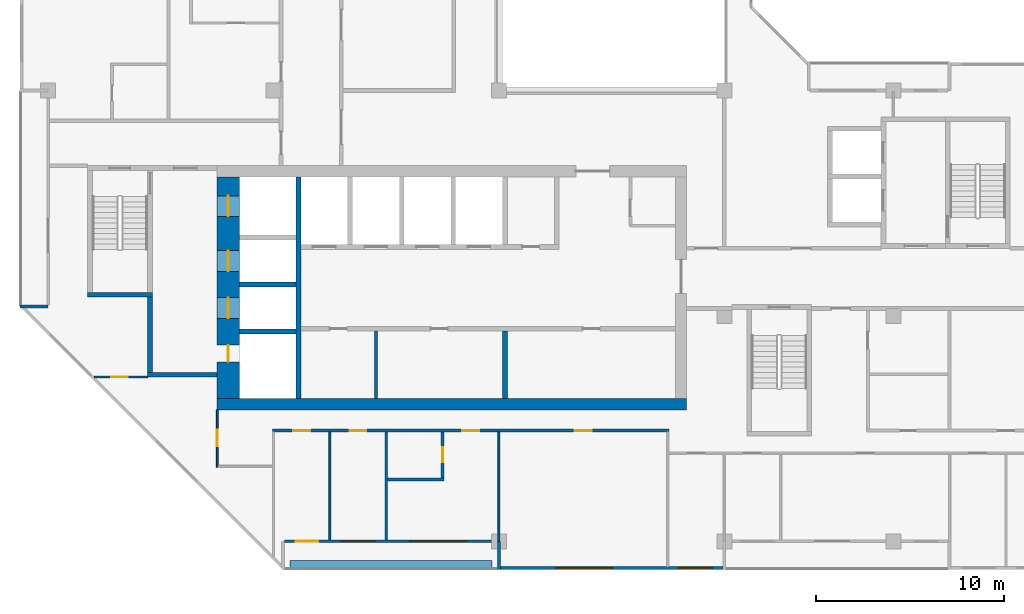
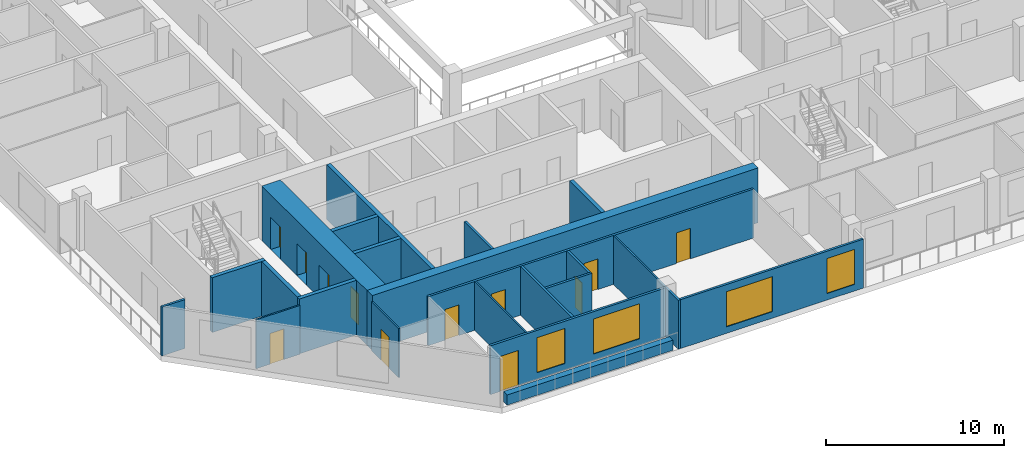
# One storey, part 4 of 13: 23 walls, 12 doors, 4 windows, 16 openings.
"""IFC4 building model written with IfcOpenShell, lengths in metres."""

from ifc_helpers import new_model, si_unit, direction, frame, frame_2d, origin, place, context, subcontext, project, spatial, rectangle, extrude, material, layer, layer_set, type_object, element, fill, save


model = new_model("IFC4")

# Units and contexts
model_context = context("Model", 3, precision=1e-05, world=origin(), true_north=direction((0.0, 1.0)))
body_context = subcontext(model_context, "Body", "Model", "MODEL_VIEW")
ifc_project = project(units=[si_unit("LENGTHUNIT", "METRE"), si_unit("AREAUNIT", "SQUARE_METRE"), si_unit("VOLUMEUNIT", "CUBIC_METRE"), si_unit("PLANEANGLEUNIT", "RADIAN"), si_unit("MASSUNIT", "GRAM", prefix="KILO")], contexts=[model_context])

# Site, building, storey
site_placement = place(None, origin())
site = spatial("IfcSite", under=ifc_project, at=site_placement, CompositionType="ELEMENT")
building_placement = place(site_placement, origin())
building = spatial("IfcBuilding", under=site, at=building_placement, Name="Chenar Terraces", CompositionType="ELEMENT")
storey_placement = place(building_placement, frame((0.0, 0.0, 314.64990234375)))
storey = spatial("IfcBuildingStorey", under=building, at=storey_placement, Name="L74", CompositionType="ELEMENT", Elevation=314.64990234375)

# Wall
ifc_material_1 = material(Name="Gypsum board on steel studs", Category="steel")
ifc_layer_1 = layer(ifc_material_1, 0.14990234375)
ifc_layer_set_1 = layer_set([ifc_layer_1], Name="Gypsum board on steel studs")
wall_type_1 = type_object("IfcWallType", Name="Core partition 150 gypsum board", PredefinedType="PARTITIONING", material=ifc_layer_set_1)
wall_1_placement = place(storey_placement, frame((17.449951171875, 7.60009765625, 0.0), z_axis=(0.0, 0.0, 1.0), x_axis=(0.0, 1.0, 0.0)))
element("IfcWall", 1, at=wall_1_placement, inside=storey, type_object=wall_type_1, Name="Core partition CP1 freed bay wall", PredefinedType="PARTITIONING", context=body_context, shape_type="SweptSolid", body=[
    extrude(rectangle(XDim=3.599853515625, YDim=0.14990234375, at=frame_2d((1.7998046875, 0.0))), origin(), (0.0, 0.0, 1.0), 3.35009765625),
])

# Wall, openings, doors
ifc_material_2 = material(Name="Concrete C50/60", Category="concrete")
ifc_layer_2 = layer(ifc_material_2, 1.199951171875)
ifc_layer_set_2 = layer_set([ifc_layer_2], Name="Concrete C50/60")
wall_type_2 = type_object("IfcWallType", Name="Core wall 1200 Concrete C50/60", PredefinedType="SHEAR", material=ifc_layer_set_2)
wall_2_placement = place(storey_placement, frame((9.60009765625, 7.60009765625, 0.0), z_axis=(0.0, 0.0, 1.0), x_axis=(0.0, 1.0, 0.0)))
wall_2 = element("IfcWall", 2, at=wall_2_placement, inside=storey, type_object=wall_type_2, Name="Core wall W L74", PredefinedType="SHEAR", context=body_context, shape_type="SweptSolid", body=[
    extrude(rectangle(XDim=11.7998046875, YDim=1.199951171875, at=frame_2d((5.89990234375, 0.0))), origin(), (0.0, 0.0, 1.0), 3.75),
])
opening_1_placement = place(wall_2_placement, frame((4.27490234375, 0.0, 0.0)))
opening_1 = element("IfcOpeningElement", 3, at=opening_1_placement, cuts=wall_2, Name="Opening DL74-LD5", PredefinedType="OPENING", context=body_context, shape_type="SweptSolid", body=[
    extrude(rectangle(XDim=1.10009765625, YDim=2.199951171875, at=frame_2d((0.550048828125, 1.10009765625))), frame((0.0, 0.60986328125, 0.0), z_axis=(0.0, -1.0, 0.0), x_axis=(1.0, 0.0, 0.0)), (0.0, 0.0, 1.0), 1.219970703125),
])
opening_2_placement = place(wall_2_placement, frame((6.77490234375, 0.0, 0.0)))
opening_2 = element("IfcOpeningElement", 4, at=opening_2_placement, cuts=wall_2, Name="Opening DL74-LD6", PredefinedType="OPENING", context=body_context, shape_type="SweptSolid", body=[
    extrude(rectangle(XDim=1.10009765625, YDim=2.199951171875, at=frame_2d((0.550048828125, 1.10009765625))), frame((0.0, 0.60986328125, 0.0), z_axis=(0.0, -1.0, 0.0), x_axis=(1.0, 0.0, 0.0)), (0.0, 0.0, 1.0), 1.219970703125),
])
opening_3_placement = place(wall_2_placement, frame((9.699951171875, 0.0, 0.0)))
opening_3 = element("IfcOpeningElement", 5, at=opening_3_placement, cuts=wall_2, Name="Opening DL74-LD7", PredefinedType="OPENING", context=body_context, shape_type="SweptSolid", body=[
    extrude(rectangle(XDim=1.10009765625, YDim=2.199951171875, at=frame_2d((0.550048828125, 1.10009765625))), frame((0.0, 0.60986328125, 0.0), z_axis=(0.0, -1.0, 0.0), x_axis=(1.0, 0.0, 0.0)), (0.0, 0.0, 1.0), 1.219970703125),
])
opening_4_placement = place(wall_2_placement, frame((1.949951171875, 0.0, 0.0)))
opening_4 = element("IfcOpeningElement", 6, at=opening_4_placement, cuts=wall_2, Name="Opening DL74-C4", PredefinedType="OPENING", context=body_context, shape_type="SweptSolid", body=[
    extrude(rectangle(XDim=0.89990234375, YDim=2.10009765625, at=frame_2d((0.449951171875, 1.050048828125))), frame((0.0, 0.60986328125, 0.0), z_axis=(0.0, -1.0, 0.0), x_axis=(1.0, 0.0, 0.0)), (0.0, 0.0, 1.0), 1.219970703125),
])
ifc_material_3 = material(Name="Stainless steel", Category="steel")
door_type_1 = type_object("IfcDoorType", Name="Lift landing door 1100 x 2200 sliding", OperationType="DOUBLE_DOOR_SLIDING", PredefinedType="DOOR", material=ifc_material_3)
door_1_placement = place(opening_1_placement, origin())
door_1 = element("IfcDoor", 7, at=door_1_placement, inside=storey, type_object=door_type_1, Name="Landing door S1", OperationType="DOUBLE_DOOR_SLIDING", OverallHeight=2.199951171875, OverallWidth=1.10009765625, PredefinedType="DOOR", context=body_context, shape_type="SweptSolid", body=[
    extrude(rectangle(XDim=1.10009765625, YDim=2.199951171875, at=frame_2d((0.550048828125, 1.10009765625))), frame((0.0, 0.02490234375, 0.0), z_axis=(0.0, -1.0, 0.0), x_axis=(1.0, 0.0, 0.0)), (0.0, 0.0, 1.0), 0.050048828125),
])
fill(opening_1, door_1)
door_2_placement = place(opening_2_placement, origin())
door_2 = element("IfcDoor", 8, at=door_2_placement, inside=storey, type_object=door_type_1, Name="Landing door F1", OperationType="DOUBLE_DOOR_SLIDING", OverallHeight=2.199951171875, OverallWidth=1.10009765625, PredefinedType="DOOR", context=body_context, shape_type="SweptSolid", body=[
    extrude(rectangle(XDim=1.10009765625, YDim=2.199951171875, at=frame_2d((0.550048828125, 1.10009765625))), frame((0.0, 0.02490234375, 0.0), z_axis=(0.0, -1.0, 0.0), x_axis=(1.0, 0.0, 0.0)), (0.0, 0.0, 1.0), 0.050048828125),
])
fill(opening_2, door_2)
door_3_placement = place(opening_3_placement, origin())
door_3 = element("IfcDoor", 9, at=door_3_placement, inside=storey, type_object=door_type_1, Name="Landing door F2", OperationType="DOUBLE_DOOR_SLIDING", OverallHeight=2.199951171875, OverallWidth=1.10009765625, PredefinedType="DOOR", context=body_context, shape_type="SweptSolid", body=[
    extrude(rectangle(XDim=1.10009765625, YDim=2.199951171875, at=frame_2d((0.550048828125, 1.10009765625))), frame((0.0, 0.02490234375, 0.0), z_axis=(0.0, -1.0, 0.0), x_axis=(1.0, 0.0, 0.0)), (0.0, 0.0, 1.0), 0.050048828125),
])
fill(opening_3, door_3)
ifc_material_4 = material(Name="Steel-framed fire-resisting door leaf", Category="steel")
door_type_2 = type_object("IfcDoorType", Name="Riser fire door FD60 900 x 2100", OperationType="SINGLE_SWING_LEFT", PredefinedType="DOOR", material=ifc_material_4)
door_4_placement = place(opening_4_placement, frame((0.89990234375, 0.0, 0.0), z_axis=(0.0, 0.0, 1.0), x_axis=(-1.0, 0.0, 0.0)))
door_4 = element("IfcDoor", 10, at=door_4_placement, inside=storey, type_object=door_type_2, Name="Riser door DL74-C4", OperationType="SINGLE_SWING_LEFT", OverallHeight=2.10009765625, OverallWidth=0.89990234375, PredefinedType="DOOR", context=body_context, shape_type="SweptSolid", body=[
    extrude(rectangle(XDim=0.89990234375, YDim=2.10009765625, at=frame_2d((0.449951171875, 1.050048828125))), frame((0.0, 0.02490234375, 0.0), z_axis=(0.0, -1.0, 0.0), x_axis=(1.0, 0.0, 0.0)), (0.0, 0.0, 1.0), 0.050048828125),
])
fill(opening_4, door_4)

# Walls
ifc_material_5 = material(Name="Concrete C50/60", Category="concrete")
ifc_layer_3 = layer(ifc_material_5, 0.25)
ifc_layer_set_3 = layer_set([ifc_layer_3], Name="Concrete C50/60")
wall_type_3 = type_object("IfcWallType", Name="Core wall 250 Concrete C50/60", PredefinedType="SHEAR", material=ifc_layer_set_3)
wall_3_placement = place(storey_placement, frame((13.324951171875, 7.60009765625, 0.0), z_axis=(0.0, 0.0, 1.0), x_axis=(0.0, 1.0, 0.0)))
element("IfcWall", 11, at=wall_3_placement, inside=storey, type_object=wall_type_3, Name="Core wall WI L74", PredefinedType="SHEAR", context=body_context, shape_type="SweptSolid", body=[
    extrude(rectangle(XDim=11.7998046875, YDim=0.25, at=frame_2d((5.89990234375, 0.0))), origin(), (0.0, 0.0, 1.0), 3.75),
])
for number, where, z_axis, x_axis, name in (
    (12, (10.199951171875, 11.175048828125, 0.0), (0.0, 0.0, 1.0), (1.0, 0.0, 0.0), "Core wall HW0 L74"),
    (13, (10.199951171875, 13.675048828125, 0.0), (0.0, 0.0, 1.0), (1.0, 0.0, 0.0), "Core wall HW1 L74"),
):
    element("IfcWall", number, at=place(storey_placement, frame(where, z_axis=z_axis, x_axis=x_axis)), inside=storey, type_object=wall_type_3, Name=name, PredefinedType="SHEAR", context=body_context, shape_type="SweptSolid", body=[
        extrude(rectangle(XDim=3.0, YDim=0.25, at=frame_2d((1.5, 0.0))), origin(), (0.0, 0.0, 1.0), 3.75),
    ])
wall_4_placement = place(storey_placement, frame((24.324951171875, 7.60009765625, 0.0), z_axis=(0.0, 0.0, 1.0), x_axis=(0.0, 1.0, 0.0)))
element("IfcWall", 14, at=wall_4_placement, inside=storey, type_object=wall_type_3, Name="Core wall SS3 L74", PredefinedType="SHEAR", context=body_context, shape_type="SweptSolid", body=[
    extrude(rectangle(XDim=3.599853515625, YDim=0.25, at=frame_2d((1.7998046875, 0.0))), origin(), (0.0, 0.0, 1.0), 3.75),
])
wall_5_placement = place(storey_placement, frame((2.10009765625, 13.125, 0.0), z_axis=(0.0, 0.0, 1.0), x_axis=(1.0, 0.0, 0.0)))
element("IfcWall", 15, at=wall_5_placement, inside=storey, type_object=wall_type_3, Name="Core wall ST1_S L74", PredefinedType="SHEAR", context=body_context, shape_type="SweptSolid", body=[
    extrude(rectangle(XDim=3.449951171875, YDim=0.25, at=frame_2d((1.72509765625, 0.0))), origin(), (0.0, 0.0, 1.0), 3.75),
])
wall_6_placement = place(storey_placement, frame((5.300048828125, 8.875, 0.0), z_axis=(0.0, 0.0, 1.0), x_axis=(1.0, 0.0, 0.0)))
element("IfcWall", 16, at=wall_6_placement, inside=storey, type_object=wall_type_3, Name="Core wall FFL_S L74", PredefinedType="SHEAR", context=body_context, shape_type="SweptSolid", body=[
    extrude(rectangle(XDim=3.699951171875, YDim=0.25, at=frame_2d((1.85009765625, 0.0))), origin(), (0.0, 0.0, 1.0), 3.75),
])
wall_7_placement = place(storey_placement, frame((5.425048828125, 9.0, 0.0), z_axis=(0.0, 0.0, 1.0), x_axis=(0.0, 1.0, 0.0)))
element("IfcWall", 17, at=wall_7_placement, inside=storey, type_object=wall_type_3, Name="Core wall FFL_W L74", PredefinedType="SHEAR", context=body_context, shape_type="SweptSolid", body=[
    extrude(rectangle(XDim=4.0, YDim=0.25, at=frame_2d((2.0, 0.0))), origin(), (0.0, 0.0, 1.0), 3.75),
])
ifc_material_6 = material(Name="Concrete C50/60", Category="concrete")
ifc_layer_4 = layer(ifc_material_6, 0.60009765625)
ifc_layer_set_4 = layer_set([ifc_layer_4], Name="Concrete C50/60")
wall_type_4 = type_object("IfcWallType", Name="Core wall 600 Concrete C50/60", PredefinedType="SHEAR", material=ifc_layer_set_4)
wall_8_placement = place(storey_placement, frame((9.0, 7.300048828125, 0.0), z_axis=(0.0, 0.0, 1.0), x_axis=(1.0, 0.0, 0.0)))
element("IfcWall", 18, at=wall_8_placement, inside=storey, type_object=wall_type_4, Name="Core wall S L74", PredefinedType="SHEAR", context=body_context, shape_type="SweptSolid", body=[
    extrude(rectangle(XDim=25.0, YDim=0.60009765625, at=frame_2d((12.5, 0.0))), origin(), (0.0, 0.0, 1.0), 3.75),
])

# Wall, openings, windows
ifc_material_7 = material(Name="Aluminium framed glazing", Category="aluminium")
ifc_layer_5 = layer(ifc_material_7, 0.14990234375)
ifc_layer_set_5 = layer_set([ifc_layer_5], Name="Aluminium framed glazing")
wall_type_5 = type_object("IfcWallType", Name="Glazed flush facade wall 150", PredefinedType="SOLIDWALL", material=ifc_layer_set_5)
wall_9_placement = place(storey_placement, frame((24.074951171875, -1.425048828125, 0.0), z_axis=(0.0, 0.0, 1.0), x_axis=(1.0, 0.0, 0.0)))
wall_9 = element("IfcWall", 19, at=wall_9_placement, inside=storey, type_object=wall_type_5, Name="Glazed flush facade wall", PredefinedType="SOLIDWALL", context=body_context, shape_type="SweptSolid", body=[
    extrude(rectangle(XDim=11.85009765625, YDim=0.14990234375, at=frame_2d((5.925048828125, 0.0))), origin(), (0.0, 0.0, 1.0), 3.35009765625),
])
opening_5_placement = place(wall_9_placement, frame((2.96240234375, 0.0, 0.449951171875)))
opening_5 = element("IfcOpeningElement", 20, at=opening_5_placement, cuts=wall_9, Name="Opening W300x240", PredefinedType="OPENING", context=body_context, shape_type="SweptSolid", body=[
    extrude(rectangle(XDim=3.0, YDim=2.39990234375, at=frame_2d((1.5, 1.199951171875))), frame((0.0, 0.0849609375, 0.0), z_axis=(0.0, -1.0, 0.0), x_axis=(1.0, 0.0, 0.0)), (0.0, 0.0, 1.0), 0.169921875),
])
opening_6_placement = place(wall_9_placement, frame((9.487548828125, 0.0, 0.449951171875)))
opening_6 = element("IfcOpeningElement", 21, at=opening_6_placement, cuts=wall_9, Name="Opening W180x240", PredefinedType="OPENING", context=body_context, shape_type="SweptSolid", body=[
    extrude(rectangle(XDim=1.800048828125, YDim=2.39990234375, at=frame_2d((0.89990234375, 1.199951171875))), frame((0.0, 0.0849609375, 0.0), z_axis=(0.0, -1.0, 0.0), x_axis=(1.0, 0.0, 0.0)), (0.0, 0.0, 1.0), 0.169921875),
])
ifc_material_8 = material(Name="Low emissivity double glazing, aluminium frame", Category="aluminium")
window_type_1 = type_object("IfcWindowType", Name="Fixed light 1800 x 2400", PartitioningType="SINGLE_PANEL", PredefinedType="WINDOW", material=ifc_material_8)
window_1_placement = place(opening_6_placement, origin())
window_1 = element("IfcWindow", 22, at=window_1_placement, inside=storey, type_object=window_type_1, Name="Window", OverallHeight=2.39990234375, OverallWidth=1.800048828125, PartitioningType="SINGLE_PANEL", PredefinedType="WINDOW", context=body_context, shape_type="SweptSolid", body=[
    extrude(rectangle(XDim=1.800048828125, YDim=2.39990234375, at=frame_2d((0.89990234375, 1.199951171875))), frame((0.0, 0.030029296875, 0.0), z_axis=(0.0, -1.0, 0.0), x_axis=(1.0, 0.0, 0.0)), (0.0, 0.0, 1.0), 0.06005859375),
])
fill(opening_6, window_1)
ifc_material_9 = material(Name="Low emissivity double glazing, aluminium frame", Category="aluminium")
window_type_2 = type_object("IfcWindowType", Name="Fixed light 3000 x 2400", PartitioningType="SINGLE_PANEL", PredefinedType="WINDOW", material=ifc_material_9)
window_2_placement = place(opening_5_placement, origin())
window_2 = element("IfcWindow", 23, at=window_2_placement, inside=storey, type_object=window_type_2, Name="Window", OverallHeight=2.39990234375, OverallWidth=3.0, PartitioningType="SINGLE_PANEL", PredefinedType="WINDOW", context=body_context, shape_type="SweptSolid", body=[
    extrude(rectangle(XDim=3.0, YDim=2.39990234375, at=frame_2d((1.5, 1.199951171875))), frame((0.0, 0.030029296875, 0.0), z_axis=(0.0, -1.0, 0.0), x_axis=(1.0, 0.0, 0.0)), (0.0, 0.0, 1.0), 0.06005859375),
])
fill(opening_5, window_2)

# Wall, openings, windows, door
ifc_material_10 = material(Name="Aluminium framed glazing", Category="aluminium")
ifc_layer_6 = layer(ifc_material_10, 0.14990234375)
ifc_layer_set_6 = layer_set([ifc_layer_6], Name="Aluminium framed glazing")
wall_type_6 = type_object("IfcWallType", Name="Glazed loggia back wall 150", PredefinedType="SOLIDWALL", material=ifc_layer_set_6)
wall_10_placement = place(storey_placement, frame((12.574951171875, 0.0, 0.0), z_axis=(0.0, 0.0, 1.0), x_axis=(1.0, 0.0, 0.0)))
wall_10 = element("IfcWall", 24, at=wall_10_placement, inside=storey, type_object=wall_type_6, Name="Glazed loggia back wall", PredefinedType="SOLIDWALL", context=body_context, shape_type="SweptSolid", body=[
    extrude(rectangle(XDim=11.35009765625, YDim=0.14990234375, at=frame_2d((5.675048828125, 0.0))), origin(), (0.0, 0.0, 1.0), 3.35009765625),
])
opening_7_placement = place(wall_10_placement, frame((0.612548828125, 0.0, 0.0)))
opening_7 = element("IfcOpeningElement", 25, at=opening_7_placement, cuts=wall_10, Name="Opening DL74-G4", PredefinedType="OPENING", context=body_context, shape_type="SweptSolid", body=[
    extrude(rectangle(XDim=1.199951171875, YDim=2.39990234375, at=frame_2d((0.60009765625, 1.199951171875))), frame((0.0, 0.0849609375, 0.0), z_axis=(0.0, -1.0, 0.0), x_axis=(1.0, 0.0, 0.0)), (0.0, 0.0, 1.0), 0.169921875),
])
opening_8_placement = place(wall_10_placement, frame((3.02490234375, 0.0, 0.449951171875)))
opening_8 = element("IfcOpeningElement", 26, at=opening_8_placement, cuts=wall_10, Name="Opening W180x240", PredefinedType="OPENING", context=body_context, shape_type="SweptSolid", body=[
    extrude(rectangle(XDim=1.800048828125, YDim=2.39990234375, at=frame_2d((0.89990234375, 1.199951171875))), frame((0.0, 0.0849609375, 0.0), z_axis=(0.0, -1.0, 0.0), x_axis=(1.0, 0.0, 0.0)), (0.0, 0.0, 1.0), 0.169921875),
])
opening_9_placement = place(wall_10_placement, frame((6.675048828125, 0.0, 0.449951171875)))
opening_9 = element("IfcOpeningElement", 27, at=opening_9_placement, cuts=wall_10, Name="Opening W300x240", PredefinedType="OPENING", context=body_context, shape_type="SweptSolid", body=[
    extrude(rectangle(XDim=3.0, YDim=2.39990234375, at=frame_2d((1.5, 1.199951171875))), frame((0.0, 0.0849609375, 0.0), z_axis=(0.0, -1.0, 0.0), x_axis=(1.0, 0.0, 0.0)), (0.0, 0.0, 1.0), 0.169921875),
])
window_3_placement = place(opening_8_placement, origin())
window_3 = element("IfcWindow", 28, at=window_3_placement, inside=storey, type_object=window_type_1, Name="Window", OverallHeight=2.39990234375, OverallWidth=1.800048828125, PartitioningType="SINGLE_PANEL", PredefinedType="WINDOW", context=body_context, shape_type="SweptSolid", body=[
    extrude(rectangle(XDim=1.800048828125, YDim=2.39990234375, at=frame_2d((0.89990234375, 1.199951171875))), frame((0.0, 0.030029296875, 0.0), z_axis=(0.0, -1.0, 0.0), x_axis=(1.0, 0.0, 0.0)), (0.0, 0.0, 1.0), 0.06005859375),
])
fill(opening_8, window_3)
window_4_placement = place(opening_9_placement, origin())
window_4 = element("IfcWindow", 29, at=window_4_placement, inside=storey, type_object=window_type_2, Name="Window", OverallHeight=2.39990234375, OverallWidth=3.0, PartitioningType="SINGLE_PANEL", PredefinedType="WINDOW", context=body_context, shape_type="SweptSolid", body=[
    extrude(rectangle(XDim=3.0, YDim=2.39990234375, at=frame_2d((1.5, 1.199951171875))), frame((0.0, 0.030029296875, 0.0), z_axis=(0.0, -1.0, 0.0), x_axis=(1.0, 0.0, 0.0)), (0.0, 0.0, 1.0), 0.06005859375),
])
fill(opening_9, window_4)
ifc_material_11 = material(Name="Low emissivity double glazing, aluminium frame", Category="aluminium")
door_type_3 = type_object("IfcDoorType", Name="Loggia glazed double door 1200 x 2400", OperationType="DOUBLE_DOOR_SINGLE_SWING", PredefinedType="DOOR", material=ifc_material_11)
door_5_placement = place(opening_7_placement, frame((1.199951171875, 0.0, 0.0), z_axis=(0.0, 0.0, 1.0), x_axis=(-1.0, 0.0, 0.0)))
door_5 = element("IfcDoor", 30, at=door_5_placement, inside=storey, type_object=door_type_3, Name="Loggia glazed door", OperationType="DOUBLE_DOOR_SINGLE_SWING", OverallHeight=2.39990234375, OverallWidth=1.199951171875, PredefinedType="DOOR", context=body_context, shape_type="SweptSolid", body=[
    extrude(rectangle(XDim=1.199951171875, YDim=2.39990234375, at=frame_2d((0.60009765625, 1.199951171875))), frame((0.0, 0.02490234375, 0.0), z_axis=(0.0, -1.0, 0.0), x_axis=(1.0, 0.0, 0.0)), (0.0, 0.0, 1.0), 0.050048828125),
])
fill(opening_7, door_5)

# Wall, opening, door
ifc_material_12 = material(Name="Gypsum board on steel studs", Category="steel")
ifc_layer_7 = layer(ifc_material_12, 0.10009765625)
ifc_layer_set_7 = layer_set([ifc_layer_7], Name="Gypsum board on steel studs")
wall_type_7 = type_object("IfcWallType", Name="Gypsum partition 100", PredefinedType="PARTITIONING", material=ifc_layer_set_7)
wall_11_placement = place(storey_placement, frame((2.4609375, 8.75, 0.0), z_axis=(0.0, 0.0, 1.0), x_axis=(1.0, 0.0, 0.0)))
wall_11 = element("IfcWall", 31, at=wall_11_placement, inside=storey, type_object=wall_type_7, Name="Partition L74-010", PredefinedType="PARTITIONING", context=body_context, shape_type="SweptSolid", body=[
    extrude(rectangle(XDim=2.839111328125, YDim=0.10009765625, at=frame_2d((1.41943359375, 0.0))), origin(), (0.0, 0.0, 1.0), 3.35009765625),
])
opening_10_placement = place(wall_11_placement, frame((0.888916015625, 0.0, 0.0)))
opening_10 = element("IfcOpeningElement", 32, at=opening_10_placement, cuts=wall_11, Name="Opening DL74-42", PredefinedType="OPENING", context=body_context, shape_type="SweptSolid", body=[
    extrude(rectangle(XDim=0.89990234375, YDim=2.10009765625, at=frame_2d((0.449951171875, 1.050048828125))), frame((0.0, 0.06005859375, 0.0), z_axis=(0.0, -1.0, 0.0), x_axis=(1.0, 0.0, 0.0)), (0.0, 0.0, 1.0), 0.1201171875),
])
ifc_material_13 = material(Name="Veneered timber door leaf", Category="wood")
door_type_4 = type_object("IfcDoorType", Name="Door 900 x 2100", OperationType="SINGLE_SWING_LEFT", PredefinedType="DOOR", material=ifc_material_13)
door_6_placement = place(opening_10_placement, frame((0.89990234375, 0.0, 0.0), z_axis=(0.0, 0.0, 1.0), x_axis=(-1.0, 0.0, 0.0)))
door_6 = element("IfcDoor", 33, at=door_6_placement, inside=storey, type_object=door_type_4, Name="Door DL74-42", OperationType="SINGLE_SWING_RIGHT", OverallHeight=2.10009765625, OverallWidth=0.89990234375, PredefinedType="DOOR", context=body_context, shape_type="SweptSolid", body=[
    extrude(rectangle(XDim=0.89990234375, YDim=2.10009765625, at=frame_2d((0.449951171875, 1.050048828125))), frame((0.0, 0.02490234375, 0.0), z_axis=(0.0, -1.0, 0.0), x_axis=(1.0, 0.0, 0.0)), (0.0, 0.0, 1.0), 0.050048828125),
])
fill(opening_10, door_6)

wall_12_placement = place(storey_placement, frame((9.0, 3.949951171875, 0.0), z_axis=(0.0, 0.0, 1.0), x_axis=(0.0, 1.0, 0.0)))
wall_12 = element("IfcWall", 34, at=wall_12_placement, inside=storey, type_object=wall_type_7, Name="Partition L74-030", PredefinedType="PARTITIONING", context=body_context, shape_type="SweptSolid", body=[
    extrude(rectangle(XDim=3.050048828125, YDim=0.10009765625, at=frame_2d((1.52490234375, 0.0))), origin(), (0.0, 0.0, 1.0), 3.35009765625),
])
opening_11_placement = place(wall_12_placement, frame((1.10009765625, 0.0, 0.0)))
opening_11 = element("IfcOpeningElement", 35, at=opening_11_placement, cuts=wall_12, Name="Opening DL74-41", PredefinedType="OPENING", context=body_context, shape_type="SweptSolid", body=[
    extrude(rectangle(XDim=0.89990234375, YDim=2.10009765625, at=frame_2d((0.449951171875, 1.050048828125))), frame((0.0, 0.06005859375, 0.0), z_axis=(0.0, -1.0, 0.0), x_axis=(1.0, 0.0, 0.0)), (0.0, 0.0, 1.0), 0.1201171875),
])
door_7_placement = place(opening_11_placement, origin())
door_7 = element("IfcDoor", 36, at=door_7_placement, inside=storey, type_object=door_type_4, Name="Door DL74-41", OperationType="SINGLE_SWING_LEFT", OverallHeight=2.10009765625, OverallWidth=0.89990234375, PredefinedType="DOOR", context=body_context, shape_type="SweptSolid", body=[
    extrude(rectangle(XDim=0.89990234375, YDim=2.10009765625, at=frame_2d((0.449951171875, 1.050048828125))), frame((0.0, 0.02490234375, 0.0), z_axis=(0.0, -1.0, 0.0), x_axis=(1.0, 0.0, 0.0)), (0.0, 0.0, 1.0), 0.050048828125),
])
fill(opening_11, door_7)

# Walls
wall_13_placement = place(storey_placement, frame((15.0, 0.073974609375, 0.0), z_axis=(0.0, 0.0, 1.0), x_axis=(0.0, 1.0, 0.0)))
element("IfcWall", 37, at=wall_13_placement, inside=storey, type_object=wall_type_7, Name="Partition L74-035", PredefinedType="PARTITIONING", context=body_context, shape_type="SweptSolid", body=[
    extrude(rectangle(XDim=5.7509765625, YDim=0.10009765625, at=frame_2d((2.87548828125, 0.0))), origin(), (0.0, 0.0, 1.0), 3.35009765625),
])
wall_14_placement = place(storey_placement, frame((24.0, 0.0, 0.0), z_axis=(0.0, 0.0, 1.0), x_axis=(0.0, 1.0, 0.0)))
element("IfcWall", 38, at=wall_14_placement, inside=storey, type_object=wall_type_7, Name="Partition L74-052", PredefinedType="PARTITIONING", context=body_context, shape_type="SweptSolid", body=[
    extrude(rectangle(XDim=5.824951171875, YDim=0.10009765625, at=frame_2d((2.91259765625, 0.0))), origin(), (0.0, 0.0, 1.0), 3.35009765625),
])
ifc_material_14 = material(Name="Terracotta cladding on insulated backing", Category="masonry")
ifc_layer_8 = layer(ifc_material_14, 0.14990234375)
ifc_layer_set_8 = layer_set([ifc_layer_8], Name="Terracotta cladding on insulated backing")
wall_type_8 = type_object("IfcWallType", Name="Loggia return wall 150", PredefinedType="SOLIDWALL", material=ifc_layer_set_8)
for number, where, z_axis, x_axis, name in (
    (39, (-1.5, 12.5, 0.0), (0.0, 0.0, 1.0), (1.0, 0.0, 0.0), "Loggia return wall"),
    (40, (24.0, -1.5, 0.0), (0.0, 0.0, 1.0), (0.0, 1.0, 0.0), "Loggia return wall"),
):
    element("IfcWall", number, at=place(storey_placement, frame(where, z_axis=z_axis, x_axis=x_axis)), inside=storey, type_object=wall_type_8, Name=name, PredefinedType="SOLIDWALL", context=body_context, shape_type="SweptSolid", body=[
        extrude(rectangle(XDim=1.5, YDim=0.14990234375, at=frame_2d((0.75, 0.0))), origin(), (0.0, 0.0, 1.0), 3.35009765625),
    ])
ifc_material_15 = material(Name="GRP planter trough")
ifc_layer_9 = layer(ifc_material_15, 0.39990234375)
ifc_layer_set_9 = layer_set([ifc_layer_9], Name="GRP planter trough")
wall_type_9 = type_object("IfcWallType", Name="Vertical greenery planter 400", PredefinedType="SOLIDWALL", material=ifc_layer_set_9)
wall_15_placement = place(storey_placement, frame((12.875, -1.22900390625, 0.0), z_axis=(0.0, 0.0, 1.0), x_axis=(1.0, 0.0, 0.0)))
element("IfcWall", 41, at=wall_15_placement, inside=storey, type_object=wall_type_9, Name="Vertical greenery planter", PredefinedType="SOLIDWALL", context=body_context, shape_type="SweptSolid", body=[
    extrude(rectangle(XDim=10.75, YDim=0.39990234375, at=frame_2d((5.375, 0.0))), origin(), (0.0, 0.0, 1.0), 0.7001953125),
])

# Wall, openings, doors
ifc_material_16 = material(Name="Moisture-resistant gypsum board on steel studs", Category="steel")
ifc_layer_10 = layer(ifc_material_16, 0.14990234375)
ifc_layer_set_10 = layer_set([ifc_layer_10], Name="Moisture-resistant gypsum board on steel studs")
wall_type_10 = type_object("IfcWallType", Name="Wet-room partition 150", PredefinedType="PARTITIONING", material=ifc_layer_set_10)
wall_16_placement = place(storey_placement, frame((11.949951171875, 5.89990234375, 0.0), z_axis=(0.0, 0.0, 1.0), x_axis=(1.0, 0.0, 0.0)))
wall_16 = element("IfcWall", 42, at=wall_16_placement, inside=storey, type_object=wall_type_10, Name="Partition L74-032", PredefinedType="PARTITIONING", context=body_context, shape_type="SweptSolid", body=[
    extrude(rectangle(XDim=21.10009765625, YDim=0.14990234375, at=frame_2d((10.550048828125, 0.0))), origin(), (0.0, 0.0, 1.0), 3.35009765625),
])
opening_12_placement = place(wall_16_placement, frame((1.10009765625, 0.0, 0.0)))
opening_12 = element("IfcOpeningElement", 43, at=opening_12_placement, cuts=wall_16, Name="Opening DL74-35", PredefinedType="OPENING", context=body_context, shape_type="SweptSolid", body=[
    extrude(rectangle(XDim=0.89990234375, YDim=2.10009765625, at=frame_2d((0.449951171875, 1.050048828125))), frame((0.0, 0.0849609375, 0.0), z_axis=(0.0, -1.0, 0.0), x_axis=(1.0, 0.0, 0.0)), (0.0, 0.0, 1.0), 0.169921875),
])
opening_13_placement = place(wall_16_placement, frame((4.10009765625, 0.0, 0.0)))
opening_13 = element("IfcOpeningElement", 44, at=opening_13_placement, cuts=wall_16, Name="Opening DL74-36", PredefinedType="OPENING", context=body_context, shape_type="SweptSolid", body=[
    extrude(rectangle(XDim=0.89990234375, YDim=2.10009765625, at=frame_2d((0.449951171875, 1.050048828125))), frame((0.0, 0.0849609375, 0.0), z_axis=(0.0, -1.0, 0.0), x_axis=(1.0, 0.0, 0.0)), (0.0, 0.0, 1.0), 0.169921875),
])
opening_14_placement = place(wall_16_placement, frame((10.10009765625, 0.0, 0.0)))
opening_14 = element("IfcOpeningElement", 45, at=opening_14_placement, cuts=wall_16, Name="Opening DL74-43", PredefinedType="OPENING", context=body_context, shape_type="SweptSolid", body=[
    extrude(rectangle(XDim=0.89990234375, YDim=2.10009765625, at=frame_2d((0.449951171875, 1.050048828125))), frame((0.0, 0.0849609375, 0.0), z_axis=(0.0, -1.0, 0.0), x_axis=(1.0, 0.0, 0.0)), (0.0, 0.0, 1.0), 0.169921875),
])
opening_15_placement = place(wall_16_placement, frame((16.10009765625, 0.0, 0.0)))
opening_15 = element("IfcOpeningElement", 46, at=opening_15_placement, cuts=wall_16, Name="Opening DL74-47", PredefinedType="OPENING", context=body_context, shape_type="SweptSolid", body=[
    extrude(rectangle(XDim=0.89990234375, YDim=2.10009765625, at=frame_2d((0.449951171875, 1.050048828125))), frame((0.0, 0.0849609375, 0.0), z_axis=(0.0, -1.0, 0.0), x_axis=(1.0, 0.0, 0.0)), (0.0, 0.0, 1.0), 0.169921875),
])
door_8_placement = place(opening_12_placement, frame((0.89990234375, 0.0, 0.0), z_axis=(0.0, 0.0, 1.0), x_axis=(-1.0, 0.0, 0.0)))
door_8 = element("IfcDoor", 47, at=door_8_placement, inside=storey, type_object=door_type_4, Name="Door DL74-35", OperationType="SINGLE_SWING_RIGHT", OverallHeight=2.10009765625, OverallWidth=0.89990234375, PredefinedType="DOOR", context=body_context, shape_type="SweptSolid", body=[
    extrude(rectangle(XDim=0.89990234375, YDim=2.10009765625, at=frame_2d((0.449951171875, 1.050048828125))), frame((0.0, 0.02490234375, 0.0), z_axis=(0.0, -1.0, 0.0), x_axis=(1.0, 0.0, 0.0)), (0.0, 0.0, 1.0), 0.050048828125),
])
fill(opening_12, door_8)
door_9_placement = place(opening_13_placement, frame((0.89990234375, 0.0, 0.0), z_axis=(0.0, 0.0, 1.0), x_axis=(-1.0, 0.0, 0.0)))
door_9 = element("IfcDoor", 48, at=door_9_placement, inside=storey, type_object=door_type_4, Name="Door DL74-36", OperationType="SINGLE_SWING_RIGHT", OverallHeight=2.10009765625, OverallWidth=0.89990234375, PredefinedType="DOOR", context=body_context, shape_type="SweptSolid", body=[
    extrude(rectangle(XDim=0.89990234375, YDim=2.10009765625, at=frame_2d((0.449951171875, 1.050048828125))), frame((0.0, 0.02490234375, 0.0), z_axis=(0.0, -1.0, 0.0), x_axis=(1.0, 0.0, 0.0)), (0.0, 0.0, 1.0), 0.050048828125),
])
fill(opening_13, door_9)
door_10_placement = place(opening_14_placement, frame((0.89990234375, 0.0, 0.0), z_axis=(0.0, 0.0, 1.0), x_axis=(-1.0, 0.0, 0.0)))
door_10 = element("IfcDoor", 49, at=door_10_placement, inside=storey, type_object=door_type_4, Name="Door DL74-43", OperationType="SINGLE_SWING_RIGHT", OverallHeight=2.10009765625, OverallWidth=0.89990234375, PredefinedType="DOOR", context=body_context, shape_type="SweptSolid", body=[
    extrude(rectangle(XDim=0.89990234375, YDim=2.10009765625, at=frame_2d((0.449951171875, 1.050048828125))), frame((0.0, 0.02490234375, 0.0), z_axis=(0.0, -1.0, 0.0), x_axis=(1.0, 0.0, 0.0)), (0.0, 0.0, 1.0), 0.050048828125),
])
fill(opening_14, door_10)
door_11_placement = place(opening_15_placement, frame((0.89990234375, 0.0, 0.0), z_axis=(0.0, 0.0, 1.0), x_axis=(-1.0, 0.0, 0.0)))
door_11 = element("IfcDoor", 50, at=door_11_placement, inside=storey, type_object=door_type_4, Name="Door DL74-47", OperationType="SINGLE_SWING_RIGHT", OverallHeight=2.10009765625, OverallWidth=0.89990234375, PredefinedType="DOOR", context=body_context, shape_type="SweptSolid", body=[
    extrude(rectangle(XDim=0.89990234375, YDim=2.10009765625, at=frame_2d((0.449951171875, 1.050048828125))), frame((0.0, 0.02490234375, 0.0), z_axis=(0.0, -1.0, 0.0), x_axis=(1.0, 0.0, 0.0)), (0.0, 0.0, 1.0), 0.050048828125),
])
fill(opening_15, door_11)

# Walls
wall_17_placement = place(storey_placement, frame((18.0, 0.073974609375, 0.0), z_axis=(0.0, 0.0, 1.0), x_axis=(0.0, 1.0, 0.0)))
element("IfcWall", 51, at=wall_17_placement, inside=storey, type_object=wall_type_10, Name="Partition L74-044", PredefinedType="PARTITIONING", context=body_context, shape_type="SweptSolid", body=[
    extrude(rectangle(XDim=5.7509765625, YDim=0.14990234375, at=frame_2d((2.87548828125, 0.0))), origin(), (0.0, 0.0, 1.0), 3.35009765625),
])
wall_18_placement = place(storey_placement, frame((18.074951171875, 3.300048828125, 0.0), z_axis=(0.0, 0.0, 1.0), x_axis=(1.0, 0.0, 0.0)))
element("IfcWall", 52, at=wall_18_placement, inside=storey, type_object=wall_type_10, Name="Partition L74-045", PredefinedType="PARTITIONING", context=body_context, shape_type="SweptSolid", body=[
    extrude(rectangle(XDim=3.0, YDim=0.14990234375, at=frame_2d((1.5, 0.0))), origin(), (0.0, 0.0, 1.0), 3.35009765625),
])

# Wall, opening, door
wall_19_placement = place(storey_placement, frame((21.0, 3.375, 0.0), z_axis=(0.0, 0.0, 1.0), x_axis=(0.0, 1.0, 0.0)))
wall_19 = element("IfcWall", 53, at=wall_19_placement, inside=storey, type_object=wall_type_10, Name="Partition L74-050", PredefinedType="PARTITIONING", context=body_context, shape_type="SweptSolid", body=[
    extrude(rectangle(XDim=2.449951171875, YDim=0.14990234375, at=frame_2d((1.22509765625, 0.0))), origin(), (0.0, 0.0, 1.0), 3.35009765625),
])
opening_16_placement = place(wall_19_placement, frame((0.824951171875, 0.0, 0.0)))
opening_16 = element("IfcOpeningElement", 54, at=opening_16_placement, cuts=wall_19, Name="Opening DL74-44", PredefinedType="OPENING", context=body_context, shape_type="SweptSolid", body=[
    extrude(rectangle(XDim=0.800048828125, YDim=2.10009765625, at=frame_2d((0.39990234375, 1.050048828125))), frame((0.0, 0.0849609375, 0.0), z_axis=(0.0, -1.0, 0.0), x_axis=(1.0, 0.0, 0.0)), (0.0, 0.0, 1.0), 0.169921875),
])
ifc_material_17 = material(Name="Veneered timber door leaf", Category="wood")
door_type_5 = type_object("IfcDoorType", Name="Door 800 x 2100", OperationType="SINGLE_SWING_LEFT", PredefinedType="DOOR", material=ifc_material_17)
door_12_placement = place(opening_16_placement, origin())
door_12 = element("IfcDoor", 55, at=door_12_placement, inside=storey, type_object=door_type_5, Name="Door DL74-44", OperationType="SINGLE_SWING_RIGHT", OverallHeight=2.10009765625, OverallWidth=0.800048828125, PredefinedType="DOOR", context=body_context, shape_type="SweptSolid", body=[
    extrude(rectangle(XDim=0.800048828125, YDim=2.10009765625, at=frame_2d((0.39990234375, 1.050048828125))), frame((0.0, 0.02490234375, 0.0), z_axis=(0.0, -1.0, 0.0), x_axis=(1.0, 0.0, 0.0)), (0.0, 0.0, 1.0), 0.050048828125),
])
fill(opening_16, door_12)

save(model, "model.ifc")
